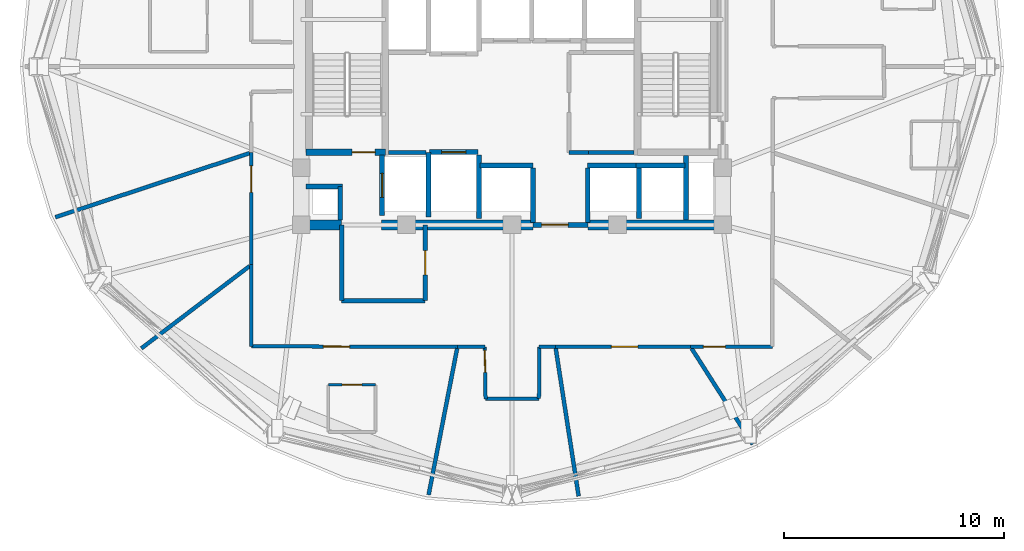
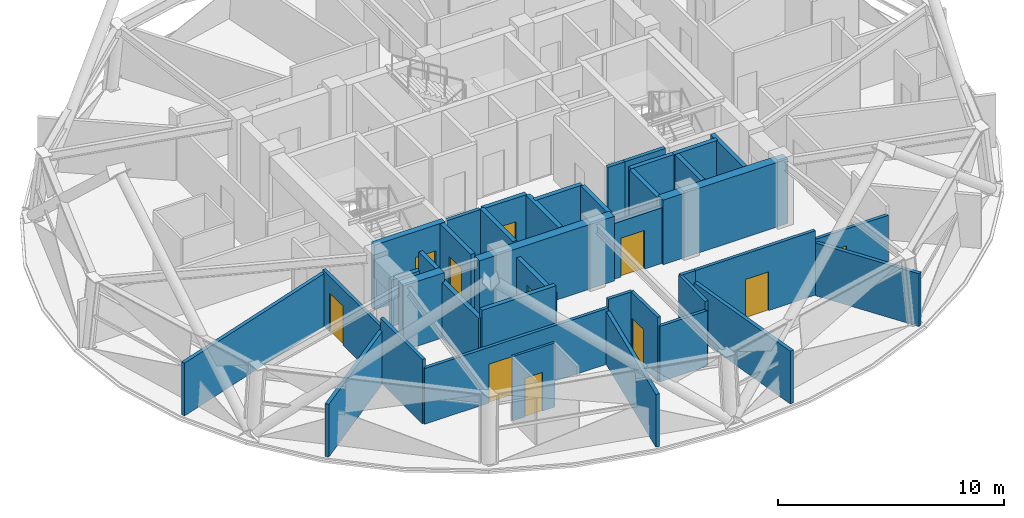
# One storey, part 5 of 12: 40 walls, 11 doors, 11 openings.
"""IFC4 building model written with IfcOpenShell, lengths in metres."""

from ifc_helpers import new_model, si_unit, direction, frame, frame_2d, origin, place, context, subcontext, project, spatial, rectangle, extrude, material, layer, layer_set, type_object, element, fill, save


model = new_model("IFC4")

# Units and contexts
model_context = context("Model", 3, precision=1e-05, world=origin(), true_north=direction((0.0, 1.0)))
body_context = subcontext(model_context, "Body", "Model", "MODEL_VIEW")
ifc_project = project(units=[si_unit("LENGTHUNIT", "METRE"), si_unit("AREAUNIT", "SQUARE_METRE"), si_unit("VOLUMEUNIT", "CUBIC_METRE"), si_unit("PLANEANGLEUNIT", "RADIAN"), si_unit("MASSUNIT", "GRAM", prefix="KILO")], contexts=[model_context])

# Site, building, storey
site_placement = place(None, origin())
site = spatial("IfcSite", under=ifc_project, at=site_placement, CompositionType="ELEMENT")
building_placement = place(site_placement, origin())
building = spatial("IfcBuilding", under=site, at=building_placement, Name="Vantalir Tower", CompositionType="ELEMENT")
storey_placement = place(building_placement, frame((0.0, 0.0, 249.89990234375)))
storey = spatial("IfcBuildingStorey", under=building, at=storey_placement, Name="L63", CompositionType="ELEMENT", Elevation=249.89990234375)

# Wall, opening, door
ifc_material_1 = material(Name="Moisture-resistant en-suite partition", Category="gypsum")
ifc_layer_1 = layer(ifc_material_1, 0.125)
ifc_layer_set_1 = layer_set([ifc_layer_1], Name="Moisture-resistant en-suite partition")
wall_type_1 = type_object("IfcWallType", Name="WL-BATH-125", PredefinedType="PARTITIONING", material=ifc_layer_set_1)
wall_1_placement = place(storey_placement, frame((23.14111328125, 10.51904296875, 0.0), z_axis=(0.0, 0.0, 1.0), x_axis=(1.0, 0.0, 0.0)))
wall_1 = element("IfcWall", 1, at=wall_1_placement, inside=storey, type_object=wall_type_1, Name="L63 En-suite 10 North Wall", PredefinedType="PARTITIONING", context=body_context, shape_type="SweptSolid", body=[
    extrude(rectangle(XDim=2.14990234375, YDim=0.125, at=frame_2d((1.074951171875, 0.0))), origin(), (0.0, 0.0, 1.0), 3.47998046875),
])
opening_1_placement = place(wall_1_placement, frame((0.625, 0.0, 0.0)))
opening_1 = element("IfcOpeningElement", 2, at=opening_1_placement, cuts=wall_1, Name="Opening D-WC", PredefinedType="OPENING", context=body_context, shape_type="SweptSolid", body=[
    extrude(rectangle(XDim=0.89990234375, YDim=2.10009765625, at=frame_2d((0.449951171875, 1.050048828125))), frame((0.0, 0.072509765625, 0.0), z_axis=(0.0, -1.0, 0.0), x_axis=(1.0, 0.0, 0.0)), (0.0, 0.0, 1.0), 0.14501953125),
])
ifc_material_2 = material(Name="Moisture-resistant hardwood door", Category="wood")
door_type_1 = type_object("IfcDoorType", Name="DR-ENSUITE-900", OperationType="NOTDEFINED", PredefinedType="DOOR", material=ifc_material_2)
door_1_placement = place(opening_1_placement, frame((0.89990234375, 0.0, 0.0), z_axis=(0.0, 0.0, 1.0), x_axis=(-1.0, 0.0, 0.0)))
door_1 = element("IfcDoor", 3, at=door_1_placement, inside=storey, type_object=door_type_1, Name="L63 En-suite 10 Door", OperationType="SINGLE_SWING_RIGHT", OverallHeight=2.10009765625, OverallWidth=0.89990234375, PredefinedType="DOOR", context=body_context, shape_type="SweptSolid", body=[
    extrude(rectangle(XDim=0.89990234375, YDim=2.10009765625, at=frame_2d((0.449951171875, 1.050048828125))), frame((0.0, 0.02490234375, 0.0), z_axis=(0.0, -1.0, 0.0), x_axis=(1.0, 0.0, 0.0)), (0.0, 0.0, 1.0), 0.050048828125),
])
fill(opening_1, door_1)

# Walls
ifc_material_3 = material(Name="Concrete C50/60", Category="concrete")
ifc_layer_2 = layer(ifc_material_3, 0.449951171875)
ifc_layer_set_2 = layer_set([ifc_layer_2], Name="Concrete C50/60")
wall_type_2 = type_object("IfcWallType", Name="WL-CORE-450", PredefinedType="SHEAR", material=ifc_layer_set_2)
wall_2_placement = place(storey_placement, frame((21.675048828125, 17.800048828125, 0.0), z_axis=(0.0, 0.0, 1.0), x_axis=(1.0, 0.0, 0.0)))
element("IfcWall", 4, at=wall_2_placement, inside=storey, type_object=wall_type_2, Name="L63 Core Shear Wall South-West", PredefinedType="SHEAR", context=body_context, shape_type="SweptSolid", body=[
    extrude(rectangle(XDim=2.074951171875, YDim=0.449951171875, at=frame_2d((1.03759765625, 0.0))), origin(), (0.0, 0.0, 1.0), 3.5),
])
wall_3_placement = place(storey_placement, frame((25.550048828125, 17.800048828125, 0.0), z_axis=(0.0, 0.0, 1.0), x_axis=(1.0, 0.0, 0.0)))
element("IfcWall", 5, at=wall_3_placement, inside=storey, type_object=wall_type_2, Name="L63 Core Shear Wall South-Mid", PredefinedType="SHEAR", context=body_context, shape_type="SweptSolid", body=[
    extrude(rectangle(XDim=6.89990234375, YDim=0.449951171875, at=frame_2d((3.449951171875, 0.0))), origin(), (0.0, 0.0, 1.0), 3.5),
])
wall_4_placement = place(storey_placement, frame((34.949951171875, 17.800048828125, 0.0), z_axis=(0.0, 0.0, 1.0), x_axis=(1.0, 0.0, 0.0)))
element("IfcWall", 6, at=wall_4_placement, inside=storey, type_object=wall_type_2, Name="L63 Core Shear Wall South-East", PredefinedType="SHEAR", context=body_context, shape_type="SweptSolid", body=[
    extrude(rectangle(XDim=6.375, YDim=0.449951171875, at=frame_2d((3.1875, 0.0))), origin(), (0.0, 0.0, 1.0), 3.5),
])

# Wall, opening, door
ifc_material_4 = material(Name="Fire-rated hotel corridor acoustic partition", Category="gypsum")
ifc_layer_3 = layer(ifc_material_4, 0.159912109375)
ifc_layer_set_3 = layer_set([ifc_layer_3], Name="Fire-rated hotel corridor acoustic partition")
wall_type_3 = type_object("IfcWallType", Name="WL-CORR-160", PredefinedType="PARTITIONING", material=ifc_layer_set_3)
wall_5_placement = place(storey_placement, frame((43.35009765625, 12.259033203125, 0.0), z_axis=(0.0, 0.0, 1.0), x_axis=(-0.999999690731, -0.000786472427, 0.0)))
wall_5 = element("IfcWall", 7, at=wall_5_placement, inside=storey, type_object=wall_type_3, Name="L63 Corridor Partition 23", PredefinedType="PARTITIONING", context=body_context, shape_type="SweptSolid", body=[
    extrude(rectangle(XDim=3.72509765625, YDim=0.159912109375, at=frame_2d((1.862548828125, 0.0))), origin(), (0.0, 0.0, 1.0), 3.01220703125),
])
opening_2_placement = place(wall_5_placement, frame((2.14111328125, 0.0, 0.0)))
opening_2 = element("IfcOpeningElement", 8, at=opening_2_placement, cuts=wall_5, Name="Opening D-GUEST", PredefinedType="OPENING", context=body_context, shape_type="SweptSolid", body=[
    extrude(rectangle(XDim=1.0, YDim=2.10009765625, at=frame_2d((0.5, 1.050048828125))), frame((0.0, 0.08984375, 0.0), z_axis=(0.0, -1.0, 0.0), x_axis=(1.0, 0.0, 0.0)), (0.0, 0.0, 1.0), 0.179931640625),
])
ifc_material_5 = material(Name="Solid-core teak veneer acoustic fire door", Category="wood")
door_type_2 = type_object("IfcDoorType", Name="DR-GUEST-ENTRY-1000", OperationType="NOTDEFINED", PredefinedType="DOOR", material=ifc_material_5)
door_2_placement = place(opening_2_placement, origin())
door_2 = element("IfcDoor", 9, at=door_2_placement, inside=storey, type_object=door_type_2, Name="L63 Executive Business Study 13 Door", OperationType="SINGLE_SWING_LEFT", OverallHeight=2.10009765625, OverallWidth=1.0, PredefinedType="DOOR", context=body_context, shape_type="SweptSolid", body=[
    extrude(rectangle(XDim=1.0, YDim=2.10009765625, at=frame_2d((0.5, 1.050048828125))), frame((0.0, 0.02490234375, 0.0), z_axis=(0.0, -1.0, 0.0), x_axis=(1.0, 0.0, 0.0)), (0.0, 0.0, 1.0), 0.050048828125),
])
fill(opening_2, door_2)

wall_6_placement = place(storey_placement, frame((39.625, 12.256103515625, 0.0), z_axis=(0.0, 0.0, 1.0), x_axis=(-0.99999965206, -0.000834193719, 0.0)))
wall_6 = element("IfcWall", 10, at=wall_6_placement, inside=storey, type_object=wall_type_3, Name="L63 Corridor Partition 24", PredefinedType="PARTITIONING", context=body_context, shape_type="SweptSolid", body=[
    extrude(rectangle(XDim=6.14599609375, YDim=0.159912109375, at=frame_2d((3.072998046875, 0.0))), origin(), (0.0, 0.0, 1.0), 3.47998046875),
])
opening_3_placement = place(wall_6_placement, frame((2.39794921875, 0.0, 0.0)))
opening_3 = element("IfcOpeningElement", 11, at=opening_3_placement, cuts=wall_6, Name="Opening D-STE", PredefinedType="OPENING", context=body_context, shape_type="SweptSolid", body=[
    extrude(rectangle(XDim=1.199951171875, YDim=2.10009765625, at=frame_2d((0.60009765625, 1.050048828125))), frame((0.0, 0.08984375, 0.0), z_axis=(0.0, -1.0, 0.0), x_axis=(1.0, 0.0, 0.0)), (0.0, 0.0, 1.0), 0.179931640625),
])
ifc_material_6 = material(Name="Solid-core teak veneer suite entrance door", Category="wood")
door_type_3 = type_object("IfcDoorType", Name="DR-SUITE-ENTRY-1200", OperationType="NOTDEFINED", PredefinedType="DOOR", material=ifc_material_6)
door_3_placement = place(opening_3_placement, origin())
door_3 = element("IfcDoor", 12, at=door_3_placement, inside=storey, type_object=door_type_3, Name="L63 Club Reading Lounge 12 Door", OperationType="SINGLE_SWING_RIGHT", OverallHeight=2.10009765625, OverallWidth=1.199951171875, PredefinedType="DOOR", context=body_context, shape_type="SweptSolid", body=[
    extrude(rectangle(XDim=1.199951171875, YDim=2.10009765625, at=frame_2d((0.60009765625, 1.050048828125))), frame((0.0, 0.02490234375, 0.0), z_axis=(0.0, -1.0, 0.0), x_axis=(1.0, 0.0, 0.0)), (0.0, 0.0, 1.0), 0.050048828125),
])
fill(opening_3, door_3)

# Walls
wall_7_placement = place(storey_placement, frame((33.47900390625, 12.2509765625, 0.0), z_axis=(0.0, 0.0, 1.0), x_axis=(-0.999999126899, -0.001321439216, 0.0)))
element("IfcWall", 13, at=wall_7_placement, inside=storey, type_object=wall_type_3, Name="L63 Corridor Partition 25", PredefinedType="PARTITIONING", context=body_context, shape_type="SweptSolid", body=[
    extrude(rectangle(XDim=0.739013671875, YDim=0.159912109375, at=frame_2d((0.36962890625, 0.0))), origin(), (0.0, 0.0, 1.0), 3.47998046875),
])
wall_8_placement = place(storey_placement, frame((32.739990234375, 12.25, 0.0), z_axis=(0.0, 0.0, 1.0), x_axis=(-0.005066629207, -0.999987164552, 0.0)))
element("IfcWall", 14, at=wall_8_placement, inside=storey, type_object=wall_type_3, Name="L63 Corridor Partition 26", PredefinedType="PARTITIONING", context=body_context, shape_type="SweptSolid", body=[
    extrude(rectangle(XDim=2.361083984375, YDim=0.159912109375, at=frame_2d((1.1806640625, 0.0))), origin(), (0.0, 0.0, 1.0), 3.47998046875),
])
wall_9_placement = place(storey_placement, frame((32.72802734375, 9.888916015625, 0.0), z_axis=(0.0, 0.0, 1.0), x_axis=(-0.999987903459, -0.004918631527, 0.0)))
element("IfcWall", 15, at=wall_9_placement, inside=storey, type_object=wall_type_3, Name="L63 Corridor Partition 27", PredefinedType="PARTITIONING", context=body_context, shape_type="SweptSolid", body=[
    extrude(rectangle(XDim=2.43212890625, YDim=0.159912109375, at=frame_2d((1.216064453125, 0.0))), origin(), (0.0, 0.0, 1.0), 3.01220703125),
])

# Wall, opening, door
wall_10_placement = place(storey_placement, frame((30.2958984375, 9.876953125, 0.0), z_axis=(0.0, 0.0, 1.0), x_axis=(-0.015121727576, 0.999885660141, 0.0)))
wall_10 = element("IfcWall", 16, at=wall_10_placement, inside=storey, type_object=wall_type_3, Name="L63 Corridor Partition 28", PredefinedType="PARTITIONING", context=body_context, shape_type="SweptSolid", body=[
    extrude(rectangle(XDim=2.373291015625, YDim=0.159912109375, at=frame_2d((1.1865234375, 0.0))), origin(), (0.0, 0.0, 1.0), 3.47998046875),
])
opening_4_placement = place(wall_10_placement, frame((1.212890625, 0.0, 0.0)))
opening_4 = element("IfcOpeningElement", 17, at=opening_4_placement, cuts=wall_10, Name="Opening D-GUEST", PredefinedType="OPENING", context=body_context, shape_type="SweptSolid", body=[
    extrude(rectangle(XDim=1.0, YDim=2.10009765625, at=frame_2d((0.5, 1.050048828125))), frame((0.0, 0.08984375, 0.0), z_axis=(0.0, -1.0, 0.0), x_axis=(1.0, 0.0, 0.0)), (0.0, 0.0, 1.0), 0.179931640625),
])
door_4_placement = place(opening_4_placement, origin())
door_4 = element("IfcDoor", 18, at=door_4_placement, inside=storey, type_object=door_type_2, Name="L63 Executive Business Study 11 Door", OperationType="SINGLE_SWING_LEFT", OverallHeight=2.10009765625, OverallWidth=1.0, PredefinedType="DOOR", context=body_context, shape_type="SweptSolid", body=[
    extrude(rectangle(XDim=1.0, YDim=2.10009765625, at=frame_2d((0.5, 1.050048828125))), frame((0.0, 0.02490234375, 0.0), z_axis=(0.0, -1.0, 0.0), x_axis=(1.0, 0.0, 0.0)), (0.0, 0.0, 1.0), 0.050048828125),
])
fill(opening_4, door_4)

# Wall
wall_11_placement = place(storey_placement, frame((30.260009765625, 12.25, 0.0), z_axis=(0.0, 0.0, 1.0), x_axis=(-0.99999876341, 0.001572634187, 0.0)))
element("IfcWall", 19, at=wall_11_placement, inside=storey, type_object=wall_type_3, Name="L63 Corridor Partition 29", PredefinedType="PARTITIONING", context=body_context, shape_type="SweptSolid", body=[
    extrude(rectangle(XDim=1.241943359375, YDim=0.159912109375, at=frame_2d((0.62109375, 0.0))), origin(), (0.0, 0.0, 1.0), 3.47998046875),
])

# Wall, opening, door
wall_12_placement = place(storey_placement, frame((29.01806640625, 12.251953125, 0.0), z_axis=(0.0, 0.0, 1.0), x_axis=(-0.999997938414, 0.002030558384, 0.0)))
wall_12 = element("IfcWall", 20, at=wall_12_placement, inside=storey, type_object=wall_type_3, Name="L63 Corridor Partition 30", PredefinedType="PARTITIONING", context=body_context, shape_type="SweptSolid", body=[
    extrude(rectangle(XDim=9.378173828125, YDim=0.159912109375, at=frame_2d((4.68896484375, 0.0))), origin(), (0.0, 0.0, 1.0), 3.01220703125),
])
opening_5_placement = place(wall_12_placement, frame((4.904052734375, 0.0, 0.0)))
opening_5 = element("IfcOpeningElement", 21, at=opening_5_placement, cuts=wall_12, Name="Opening D-STE", PredefinedType="OPENING", context=body_context, shape_type="SweptSolid", body=[
    extrude(rectangle(XDim=1.199951171875, YDim=2.10009765625, at=frame_2d((0.60009765625, 1.050048828125))), frame((0.0, 0.08984375, 0.0), z_axis=(0.0, -1.0, 0.0), x_axis=(1.0, 0.0, 0.0)), (0.0, 0.0, 1.0), 0.179931640625),
])
door_5_placement = place(opening_5_placement, origin())
door_5 = element("IfcDoor", 22, at=door_5_placement, inside=storey, type_object=door_type_3, Name="L63 Executive Club Hotel Suite 10 Door", OperationType="SINGLE_SWING_RIGHT", OverallHeight=2.10009765625, OverallWidth=1.199951171875, PredefinedType="DOOR", context=body_context, shape_type="SweptSolid", body=[
    extrude(rectangle(XDim=1.199951171875, YDim=2.10009765625, at=frame_2d((0.60009765625, 1.050048828125))), frame((0.0, 0.02490234375, 0.0), z_axis=(0.0, -1.0, 0.0), x_axis=(1.0, 0.0, 0.0)), (0.0, 0.0, 1.0), 0.050048828125),
])
fill(opening_5, door_5)

# Wall
wall_13_placement = place(storey_placement, frame((19.639892578125, 12.27099609375, 0.0), z_axis=(0.0, 0.0, 1.0), x_axis=(-0.000525727732, 0.999999861805, 0.0)))
element("IfcWall", 23, at=wall_13_placement, inside=storey, type_object=wall_type_3, Name="L63 Corridor Partition 31", PredefinedType="PARTITIONING", context=body_context, shape_type="SweptSolid", body=[
    extrude(rectangle(XDim=3.715087890625, YDim=0.159912109375, at=frame_2d((1.857421875, 0.0))), origin(), (0.0, 0.0, 1.0), 3.47998046875),
])

# Wall, opening, door
wall_14_placement = place(storey_placement, frame((19.637939453125, 15.986083984375, 0.0), z_axis=(0.0, 0.0, 1.0), x_axis=(-0.000382665236, 0.999999926784, 0.0)))
wall_14 = element("IfcWall", 24, at=wall_14_placement, inside=storey, type_object=wall_type_3, Name="L63 Corridor Partition 32", PredefinedType="PARTITIONING", context=body_context, shape_type="SweptSolid", body=[
    extrude(rectangle(XDim=5.10400390625, YDim=0.159912109375, at=frame_2d((2.552001953125, 0.0))), origin(), (0.0, 0.0, 1.0), 3.01220703125),
])
opening_6_placement = place(wall_14_placement, frame((3.2958984375, 0.0, 0.0)))
opening_6 = element("IfcOpeningElement", 25, at=opening_6_placement, cuts=wall_14, Name="Opening D-STE", PredefinedType="OPENING", context=body_context, shape_type="SweptSolid", body=[
    extrude(rectangle(XDim=1.199951171875, YDim=2.10009765625, at=frame_2d((0.60009765625, 1.050048828125))), frame((0.0, 0.08984375, 0.0), z_axis=(0.0, -1.0, 0.0), x_axis=(1.0, 0.0, 0.0)), (0.0, 0.0, 1.0), 0.179931640625),
])
door_6_placement = place(opening_6_placement, origin())
door_6 = element("IfcDoor", 26, at=door_6_placement, inside=storey, type_object=door_type_3, Name="L63 Executive Sky Boardroom 09 Door", OperationType="SINGLE_SWING_LEFT", OverallHeight=2.10009765625, OverallWidth=1.199951171875, PredefinedType="DOOR", context=body_context, shape_type="SweptSolid", body=[
    extrude(rectangle(XDim=1.199951171875, YDim=2.10009765625, at=frame_2d((0.60009765625, 1.050048828125))), frame((0.0, 0.02490234375, 0.0), z_axis=(0.0, -1.0, 0.0), x_axis=(1.0, 0.0, 0.0)), (0.0, 0.0, 1.0), 0.050048828125),
])
fill(opening_6, door_6)

# Walls
ifc_material_7 = material(Name="Concrete blockwork with fireboard lining", Category="masonry")
ifc_layer_4 = layer(ifc_material_7, 0.219970703125)
ifc_layer_set_4 = layer_set([ifc_layer_4], Name="Concrete blockwork with fireboard lining")
wall_type_4 = type_object("IfcWallType", Name="WL-FFL-220", PredefinedType="PARTITIONING", material=ifc_layer_set_4)
wall_15_placement = place(storey_placement, frame((30.0, 18.080078125, 0.0), z_axis=(0.0, 0.0, 1.0), x_axis=(0.0, 1.0, 0.0)))
element("IfcWall", 27, at=wall_15_placement, inside=storey, type_object=wall_type_4, Name="L63 Service Lift SV1 East Shaft Wall", PredefinedType="PARTITIONING", context=body_context, shape_type="SweptSolid", body=[
    extrude(rectangle(XDim=2.89990234375, YDim=0.219970703125, at=frame_2d((1.449951171875, 0.0))), origin(), (0.0, 0.0, 1.0), 3.47509765625),
])
for number, where, z_axis, x_axis, name in (
    (28, (32.449951171875, 17.919921875, 0.0), (0.0, 0.0, 1.0), (0.0, 1.0, 0.0), "L63 Shuttle Lift PL-X1 East Shaft Cheek"),
    (29, (34.949951171875, 17.919921875, 0.0), (0.0, 0.0, 1.0), (0.0, 1.0, 0.0), "L63 Shuttle Lift PL-X3 West Shaft Cheek"),
):
    element("IfcWall", number, at=place(storey_placement, frame(where, z_axis=z_axis, x_axis=x_axis)), inside=storey, type_object=wall_type_4, Name=name, PredefinedType="PARTITIONING", context=body_context, shape_type="SweptSolid", body=[
        extrude(rectangle(XDim=2.469970703125, YDim=0.219970703125, at=frame_2d((1.23486328125, 0.0))), origin(), (0.0, 0.0, 1.0), 3.47509765625),
    ])
wall_16_placement = place(storey_placement, frame((37.27490234375, 18.080078125, 0.0), z_axis=(0.0, 0.0, 1.0), x_axis=(0.0, 1.0, 0.0)))
element("IfcWall", 30, at=wall_16_placement, inside=storey, type_object=wall_type_4, Name="L63 Shuttle Lift PL-X2/X3 Shaft Divider", PredefinedType="PARTITIONING", context=body_context, shape_type="SweptSolid", body=[
    extrude(rectangle(XDim=2.309814453125, YDim=0.219970703125, at=frame_2d((1.15478515625, 0.0))), origin(), (0.0, 0.0, 1.0), 3.47509765625),
])

# Wall, opening, door
wall_17_placement = place(storey_placement, frame((32.449951171875, 17.800048828125, 0.0), z_axis=(0.0, 0.0, 1.0), x_axis=(1.0, 0.0, 0.0)))
wall_17 = element("IfcWall", 31, at=wall_17_placement, inside=storey, type_object=wall_type_4, Name="L63 Passenger Lift Lobby South Wall", PredefinedType="PARTITIONING", context=body_context, shape_type="SweptSolid", body=[
    extrude(rectangle(XDim=2.5, YDim=0.219970703125, at=frame_2d((1.25, 0.0))), origin(), (0.0, 0.0, 1.0), 3.01220703125),
])
opening_7_placement = place(wall_17_placement, frame((0.39990234375, 0.0, 0.0)))
opening_7 = element("IfcOpeningElement", 32, at=opening_7_placement, cuts=wall_17, Name="Opening D-STE", PredefinedType="OPENING", context=body_context, shape_type="SweptSolid", body=[
    extrude(rectangle(XDim=1.199951171875, YDim=2.10009765625, at=frame_2d((0.60009765625, 1.050048828125))), frame((0.0, 0.119873046875, 0.0), z_axis=(0.0, -1.0, 0.0), x_axis=(1.0, 0.0, 0.0)), (0.0, 0.0, 1.0), 0.239990234375),
])
door_7_placement = place(opening_7_placement, origin())
door_7 = element("IfcDoor", 33, at=door_7_placement, inside=storey, type_object=door_type_3, Name="L63 Passenger Lift Lobby Concourse Door", OperationType="SINGLE_SWING_RIGHT", OverallHeight=2.10009765625, OverallWidth=1.199951171875, PredefinedType="DOOR", context=body_context, shape_type="SweptSolid", body=[
    extrude(rectangle(XDim=1.199951171875, YDim=2.10009765625, at=frame_2d((0.60009765625, 1.050048828125))), frame((0.0, 0.02490234375, 0.0), z_axis=(0.0, -1.0, 0.0), x_axis=(1.0, 0.0, 0.0)), (0.0, 0.0, 1.0), 0.050048828125),
])
fill(opening_7, door_7)

# Walls
wall_18_placement = place(storey_placement, frame((23.679931640625, 18.02490234375, 0.0), z_axis=(0.0, 0.0, 1.0), x_axis=(0.0, 1.0, 0.0)))
element("IfcWall", 34, at=wall_18_placement, inside=storey, type_object=wall_type_4, Name="L63 West MEP Riser Wall E", PredefinedType="PARTITIONING", context=body_context, shape_type="SweptSolid", body=[
    extrude(rectangle(XDim=1.525146484375, YDim=0.219970703125, at=frame_2d((0.7626953125, 0.0))), origin(), (0.0, 0.0, 1.0), 3.47998046875),
])
wall_19_placement = place(storey_placement, frame((22.125, 19.550048828125, 0.0), z_axis=(0.0, 0.0, 1.0), x_axis=(1.0, 0.0, 0.0)))
element("IfcWall", 35, at=wall_19_placement, inside=storey, type_object=wall_type_4, Name="L63 West MEP Riser Wall N", PredefinedType="PARTITIONING", context=body_context, shape_type="SweptSolid", body=[
    extrude(rectangle(XDim=1.6650390625, YDim=0.219970703125, at=frame_2d((0.83251953125, 0.0))), origin(), (0.0, 0.0, 1.0), 2.525146484375),
])
wall_20_placement = place(storey_placement, frame((39.419921875, 18.02490234375, 0.0), z_axis=(0.0, 0.0, 1.0), x_axis=(0.0, 1.0, 0.0)))
element("IfcWall", 36, at=wall_20_placement, inside=storey, type_object=wall_type_4, Name="L63 East MEP Riser Wall W", PredefinedType="PARTITIONING", context=body_context, shape_type="SweptSolid", body=[
    extrude(rectangle(XDim=2.925048828125, YDim=0.219970703125, at=frame_2d((1.46240234375, 0.0))), origin(), (0.0, 0.0, 1.0), 3.47998046875),
])

# Wall, opening, door
wall_21_placement = place(storey_placement, frame((25.590087890625, 18.219970703125, 0.0), z_axis=(0.0, 0.0, 1.0), x_axis=(0.0, 1.0, 0.0)))
wall_21 = element("IfcWall", 37, at=wall_21_placement, inside=storey, type_object=wall_type_4, Name="L63 Lift FL1 Shaft Front Wall", PredefinedType="PARTITIONING", context=body_context, shape_type="SweptSolid", body=[
    extrude(rectangle(XDim=2.760009765625, YDim=0.219970703125, at=frame_2d((1.3798828125, 0.0))), origin(), (0.0, 0.0, 1.0), 3.47998046875),
])
opening_8_placement = place(wall_21_placement, frame((0.830078125, 0.0, 0.0)))
opening_8 = element("IfcOpeningElement", 38, at=opening_8_placement, cuts=wall_21, Name="Opening LD-FL1", PredefinedType="OPENING", context=body_context, shape_type="SweptSolid", body=[
    extrude(rectangle(XDim=1.10009765625, YDim=2.199951171875, at=frame_2d((0.550048828125, 1.10009765625))), frame((0.0, 0.119873046875, 0.0), z_axis=(0.0, -1.0, 0.0), x_axis=(1.0, 0.0, 0.0)), (0.0, 0.0, 1.0), 0.239990234375),
])
ifc_material_8 = material(Name="Brushed stainless-steel sliding lift landing door", Category="steel")
door_type_4 = type_object("IfcDoorType", Name="DR-LIFT-LANDING-1100", OperationType="DOUBLE_DOOR_SLIDING", PredefinedType="DOOR", material=ifc_material_8)
door_8_placement = place(opening_8_placement, origin())
door_8 = element("IfcDoor", 39, at=door_8_placement, inside=storey, type_object=door_type_4, Name="L63 Lift Landing Door FL1", OperationType="DOUBLE_DOOR_SLIDING", OverallHeight=2.199951171875, OverallWidth=1.10009765625, PredefinedType="DOOR", context=body_context, shape_type="SweptSolid", body=[
    extrude(rectangle(XDim=1.10009765625, YDim=2.199951171875, at=frame_2d((0.550048828125, 1.10009765625))), frame((0.0, 0.02490234375, 0.0), z_axis=(0.0, -1.0, 0.0), x_axis=(1.0, 0.0, 0.0)), (0.0, 0.0, 1.0), 0.050048828125),
])
fill(opening_8, door_8)

wall_22_placement = place(storey_placement, frame((27.739990234375, 21.110107421875, 0.0), z_axis=(0.0, 0.0, 1.0), x_axis=(1.0, 0.0, 0.0)))
wall_22 = element("IfcWall", 40, at=wall_22_placement, inside=storey, type_object=wall_type_4, Name="L63 Lift SV1 Shaft Front Wall", PredefinedType="PARTITIONING", context=body_context, shape_type="SweptSolid", body=[
    extrude(rectangle(XDim=2.219970703125, YDim=0.219970703125, at=frame_2d((1.10986328125, 0.0))), origin(), (0.0, 0.0, 1.0), 3.47998046875),
])
opening_9_placement = place(wall_22_placement, frame((0.56005859375, 0.0, 0.0)))
opening_9 = element("IfcOpeningElement", 41, at=opening_9_placement, cuts=wall_22, Name="Opening LD-SV1", PredefinedType="OPENING", context=body_context, shape_type="SweptSolid", body=[
    extrude(rectangle(XDim=1.10009765625, YDim=2.199951171875, at=frame_2d((0.550048828125, 1.10009765625))), frame((0.0, 0.119873046875, 0.0), z_axis=(0.0, -1.0, 0.0), x_axis=(1.0, 0.0, 0.0)), (0.0, 0.0, 1.0), 0.239990234375),
])
door_9_placement = place(opening_9_placement, origin())
door_9 = element("IfcDoor", 42, at=door_9_placement, inside=storey, type_object=door_type_4, Name="L63 Lift Landing Door SV1", OperationType="DOUBLE_DOOR_SLIDING", OverallHeight=2.199951171875, OverallWidth=1.10009765625, PredefinedType="DOOR", context=body_context, shape_type="SweptSolid", body=[
    extrude(rectangle(XDim=1.10009765625, YDim=2.199951171875, at=frame_2d((0.550048828125, 1.10009765625))), frame((0.0, 0.02490234375, 0.0), z_axis=(0.0, -1.0, 0.0), x_axis=(1.0, 0.0, 0.0)), (0.0, 0.0, 1.0), 0.050048828125),
])
fill(opening_9, door_9)

# Walls
wall_23_placement = place(storey_placement, frame((30.0400390625, 20.510009765625, 0.0), z_axis=(0.0, 0.0, 1.0), x_axis=(1.0, 0.0, 0.0)))
element("IfcWall", 43, at=wall_23_placement, inside=storey, type_object=wall_type_4, Name="L63 Lift PL-X1 Shaft Front Wall", PredefinedType="PARTITIONING", context=body_context, shape_type="SweptSolid", body=[
    extrude(rectangle(XDim=2.419921875, YDim=0.219970703125, at=frame_2d((1.2099609375, 0.0))), origin(), (0.0, 0.0, 1.0), 3.47998046875),
])
for number, where, z_axis, x_axis, name in (
    (44, (37.139892578125, 20.510009765625, 0.0), (0.0, 0.0, 1.0), (1.0, 0.0, 0.0), "L63 Lift PL-X2 Shaft Rear Wall"),
    (45, (34.93994140625, 20.510009765625, 0.0), (0.0, 0.0, 1.0), (1.0, 0.0, 0.0), "L63 Lift PL-X3 Shaft Front Wall"),
):
    element("IfcWall", number, at=place(storey_placement, frame(where, z_axis=z_axis, x_axis=x_axis)), inside=storey, type_object=wall_type_4, Name=name, PredefinedType="PARTITIONING", context=body_context, shape_type="SweptSolid", body=[
        extrude(rectangle(XDim=2.239990234375, YDim=0.219970703125, at=frame_2d((1.1201171875, 0.0))), origin(), (0.0, 0.0, 1.0), 3.47998046875),
    ])
wall_24_placement = place(storey_placement, frame((27.699951171875, 18.14990234375, 0.0), z_axis=(0.0, 0.0, 1.0), x_axis=(0.0, 1.0, 0.0)))
element("IfcWall", 46, at=wall_24_placement, inside=storey, type_object=wall_type_4, Name="L63 Fire Lift FL1 Dividing Wall", PredefinedType="PARTITIONING", context=body_context, shape_type="SweptSolid", body=[
    extrude(rectangle(XDim=2.9501953125, YDim=0.219970703125, at=frame_2d((1.47509765625, 0.0))), origin(), (0.0, 0.0, 1.0), 3.47998046875),
])
wall_25_placement = place(storey_placement, frame((23.75, 14.35009765625, 0.0), z_axis=(0.0, 0.0, 1.0), x_axis=(0.0, 1.0, 0.0)))
element("IfcWall", 47, at=wall_25_placement, inside=storey, type_object=wall_type_4, Name="L63 Firefighting Lobby West Outer W", PredefinedType="PARTITIONING", context=body_context, shape_type="SweptSolid", body=[
    extrude(rectangle(XDim=3.449951171875, YDim=0.219970703125, at=frame_2d((1.72509765625, 0.0))), origin(), (0.0, 0.0, 1.0), 3.01220703125),
])
wall_26_placement = place(storey_placement, frame((23.75, 14.35009765625, 0.0), z_axis=(0.0, 0.0, 1.0), x_axis=(1.0, 0.0, 0.0)))
element("IfcWall", 48, at=wall_26_placement, inside=storey, type_object=wall_type_4, Name="L63 Firefighting Lobby West South Wall", PredefinedType="PARTITIONING", context=body_context, shape_type="SweptSolid", body=[
    extrude(rectangle(XDim=3.800048828125, YDim=0.219970703125, at=frame_2d((1.89990234375, 0.0))), origin(), (0.0, 0.0, 1.0), 3.47998046875),
])

# Wall, opening, door
wall_27_placement = place(storey_placement, frame((27.550048828125, 14.35009765625, 0.0), z_axis=(0.0, 0.0, 1.0), x_axis=(0.0, 1.0, 0.0)))
wall_27 = element("IfcWall", 49, at=wall_27_placement, inside=storey, type_object=wall_type_4, Name="L63 Firefighting Lobby West East Wall", PredefinedType="PARTITIONING", context=body_context, shape_type="SweptSolid", body=[
    extrude(rectangle(XDim=3.449951171875, YDim=0.219970703125, at=frame_2d((1.72509765625, 0.0))), origin(), (0.0, 0.0, 1.0), 3.01220703125),
])
opening_10_placement = place(wall_27_placement, frame((1.175048828125, 0.0, 0.0)))
opening_10 = element("IfcOpeningElement", 50, at=opening_10_placement, cuts=wall_27, Name="Opening D-FFL", PredefinedType="OPENING", context=body_context, shape_type="SweptSolid", body=[
    extrude(rectangle(XDim=1.10009765625, YDim=2.10009765625, at=frame_2d((0.550048828125, 1.050048828125))), frame((0.0, 0.119873046875, 0.0), z_axis=(0.0, -1.0, 0.0), x_axis=(1.0, 0.0, 0.0)), (0.0, 0.0, 1.0), 0.239990234375),
])
ifc_material_9 = material(Name="Fire-rated acoustic steel door", Category="steel")
door_type_5 = type_object("IfcDoorType", Name="DR-FIRE-LOBBY-1100", OperationType="NOTDEFINED", PredefinedType="DOOR", material=ifc_material_9)
door_10_placement = place(opening_10_placement, origin())
door_10 = element("IfcDoor", 51, at=door_10_placement, inside=storey, type_object=door_type_5, Name="L63 Firefighting Lobby West Access Door", OperationType="SINGLE_SWING_RIGHT", OverallHeight=2.10009765625, OverallWidth=1.10009765625, PredefinedType="DOOR", context=body_context, shape_type="SweptSolid", body=[
    extrude(rectangle(XDim=1.10009765625, YDim=2.10009765625, at=frame_2d((0.550048828125, 1.050048828125))), frame((0.0, 0.02490234375, 0.0), z_axis=(0.0, -1.0, 0.0), x_axis=(1.0, 0.0, 0.0)), (0.0, 0.0, 1.0), 0.050048828125),
])
fill(opening_10, door_10)

# Walls
ifc_material_10 = material(Name="Twin-stud acoustic fire-rated gypsum partition", Category="gypsum")
ifc_layer_5 = layer(ifc_material_10, 0.179931640625)
ifc_layer_set_5 = layer_set([ifc_layer_5], Name="Twin-stud acoustic fire-rated gypsum partition")
wall_type_5 = type_object("IfcWallType", Name="WL-GUEST-180", PredefinedType="PARTITIONING", material=ifc_layer_set_5)
wall_28_placement = place(storey_placement, frame((25.889892578125, 21.10009765625, 0.0), z_axis=(0.0, 0.0, 1.0), x_axis=(1.0, 0.0, 0.0)))
element("IfcWall", 52, at=wall_28_placement, inside=storey, type_object=wall_type_5, Name="L63 Freed West Core South Wall", PredefinedType="PARTITIONING", context=body_context, shape_type="SweptSolid", body=[
    extrude(rectangle(XDim=1.7001953125, YDim=0.179931640625, at=frame_2d((0.85009765625, 0.0))), origin(), (0.0, 0.0, 1.0), 3.47998046875),
])
wall_29_placement = place(storey_placement, frame((34.97998046875, 21.10009765625, 0.0), z_axis=(0.0, 0.0, 1.0), x_axis=(1.0, 0.0, 0.0)))
element("IfcWall", 53, at=wall_29_placement, inside=storey, type_object=wall_type_5, Name="L63 Freed East Core South Wall", PredefinedType="PARTITIONING", context=body_context, shape_type="SweptSolid", body=[
    extrude(rectangle(XDim=2.080078125, YDim=0.179931640625, at=frame_2d((1.0400390625, 0.0))), origin(), (0.0, 0.0, 1.0), 3.47998046875),
])
wall_30_placement = place(storey_placement, frame((34.10009765625, 21.10009765625, 0.0), z_axis=(0.0, 0.0, 1.0), x_axis=(1.0, 0.0, 0.0)))
element("IfcWall", 54, at=wall_30_placement, inside=storey, type_object=wall_type_5, Name="L63 East Core Room South Return", PredefinedType="PARTITIONING", context=body_context, shape_type="SweptSolid", body=[
    extrude(rectangle(XDim=0.8798828125, YDim=0.179931640625, at=frame_2d((0.43994140625, 0.0))), origin(), (0.0, 0.0, 1.0), 3.47998046875),
])
wall_31_placement = place(storey_placement, frame((19.56005859375, 21.06494140625, 0.0), z_axis=(0.0, 0.0, 1.0), x_axis=(-0.949729147415, -0.313072749613, 0.0)))
element("IfcWall", 55, at=wall_31_placement, inside=storey, type_object=wall_type_5, Name="L63 Radial Suite Partition 09", PredefinedType="PARTITIONING", context=body_context, shape_type="SweptSolid", body=[
    extrude(rectangle(XDim=9.314208984375, YDim=0.179931640625, at=frame_2d((4.6572265625, 0.0))), origin(), (0.0, 0.0, 1.0), 2.85498046875),
])
wall_32_placement = place(storey_placement, frame((19.56005859375, 15.927001953125, 0.0), z_axis=(0.0, 0.0, 1.0), x_axis=(-0.796115821465, -0.605144279336, 0.0)))
element("IfcWall", 56, at=wall_32_placement, inside=storey, type_object=wall_type_5, Name="L63 Radial Suite Partition 10", PredefinedType="PARTITIONING", context=body_context, shape_type="SweptSolid", body=[
    extrude(rectangle(XDim=6.188720703125, YDim=0.179931640625, at=frame_2d((3.09423828125, 0.0))), origin(), (0.0, 0.0, 1.0), 2.85498046875),
])
wall_33_placement = place(storey_placement, frame((29.0029296875, 12.175048828125, 0.0), z_axis=(0.0, 0.0, 1.0), x_axis=(-0.191104607793, -0.981569676019, 0.0)))
element("IfcWall", 57, at=wall_33_placement, inside=storey, type_object=wall_type_5, Name="L63 Radial Suite Partition 11", PredefinedType="PARTITIONING", context=body_context, shape_type="SweptSolid", body=[
    extrude(rectangle(XDim=6.7861328125, YDim=0.179931640625, at=frame_2d((3.39306640625, 0.0))), origin(), (0.0, 0.0, 1.0), 2.85498046875),
])
wall_34_placement = place(storey_placement, frame((33.490966796875, 12.175048828125, 0.0), z_axis=(0.0, 0.0, 1.0), x_axis=(0.15334639492, -0.988172496665, 0.0)))
element("IfcWall", 58, at=wall_34_placement, inside=storey, type_object=wall_type_5, Name="L63 Radial Suite Partition 12", PredefinedType="PARTITIONING", context=body_context, shape_type="SweptSolid", body=[
    extrude(rectangle(XDim=6.80126953125, YDim=0.179931640625, at=frame_2d((3.400634765625, 0.0))), origin(), (0.0, 0.0, 1.0), 2.85498046875),
])
wall_35_placement = place(storey_placement, frame((39.676025390625, 12.175048828125, 0.0), z_axis=(0.0, 0.0, 1.0), x_axis=(0.53762070128, -0.843186801103, 0.0)))
element("IfcWall", 59, at=wall_35_placement, inside=storey, type_object=wall_type_5, Name="L63 Radial Suite Partition 13", PredefinedType="PARTITIONING", context=body_context, shape_type="SweptSolid", body=[
    extrude(rectangle(XDim=5.1708984375, YDim=0.179931640625, at=frame_2d((2.58544921875, 0.0))), origin(), (0.0, 0.0, 1.0), 2.85498046875),
])

# Wall, opening, door
ifc_layer_6 = layer(ifc_material_3, 0.300048828125)
ifc_layer_set_6 = layer_set([ifc_layer_6], Name="Concrete C50/60")
wall_type_6 = type_object("IfcWallType", Name="WL-STAIR-300", PredefinedType="SHEAR", material=ifc_layer_set_6)
wall_36_placement = place(storey_placement, frame((22.125, 21.10009765625, 0.0), z_axis=(0.0, 0.0, 1.0), x_axis=(1.0, 0.0, 0.0)))
wall_36 = element("IfcWall", 60, at=wall_36_placement, inside=storey, type_object=wall_type_6, Name="L63 Stair ST1 South Wall", PredefinedType="SHEAR", context=body_context, shape_type="SweptSolid", body=[
    extrude(rectangle(XDim=3.614990234375, YDim=0.300048828125, at=frame_2d((1.8076171875, 0.0))), origin(), (0.0, 0.0, 1.0), 3.5),
])
opening_11_placement = place(wall_36_placement, frame((2.094970703125, 0.0, 0.0)))
opening_11 = element("IfcOpeningElement", 61, at=opening_11_placement, cuts=wall_36, Name="Opening D-ST", PredefinedType="OPENING", context=body_context, shape_type="SweptSolid", body=[
    extrude(rectangle(XDim=1.050048828125, YDim=2.10009765625, at=frame_2d((0.52490234375, 1.050048828125))), frame((0.0, 0.159912109375, 0.0), z_axis=(0.0, -1.0, 0.0), x_axis=(1.0, 0.0, 0.0)), (0.0, 0.0, 1.0), 0.320068359375),
])
ifc_material_11 = material(Name="Fire-rated steel door leaf", Category="steel")
door_type_6 = type_object("IfcDoorType", Name="DR-FIRE-STAIR-1050", OperationType="NOTDEFINED", PredefinedType="DOOR", material=ifc_material_11)
door_11_placement = place(opening_11_placement, origin())
door_11 = element("IfcDoor", 62, at=door_11_placement, inside=storey, type_object=door_type_6, Name="L63 Exit Stair ST1 Fire Door", OperationType="SINGLE_SWING_RIGHT", OverallHeight=2.10009765625, OverallWidth=1.050048828125, PredefinedType="DOOR", context=body_context, shape_type="SweptSolid", body=[
    extrude(rectangle(XDim=1.050048828125, YDim=2.10009765625, at=frame_2d((0.52490234375, 1.050048828125))), frame((0.0, 0.02490234375, 0.0), z_axis=(0.0, -1.0, 0.0), x_axis=(1.0, 0.0, 0.0)), (0.0, 0.0, 1.0), 0.050048828125),
])
fill(opening_11, door_11)

save(model, "model.ifc")
